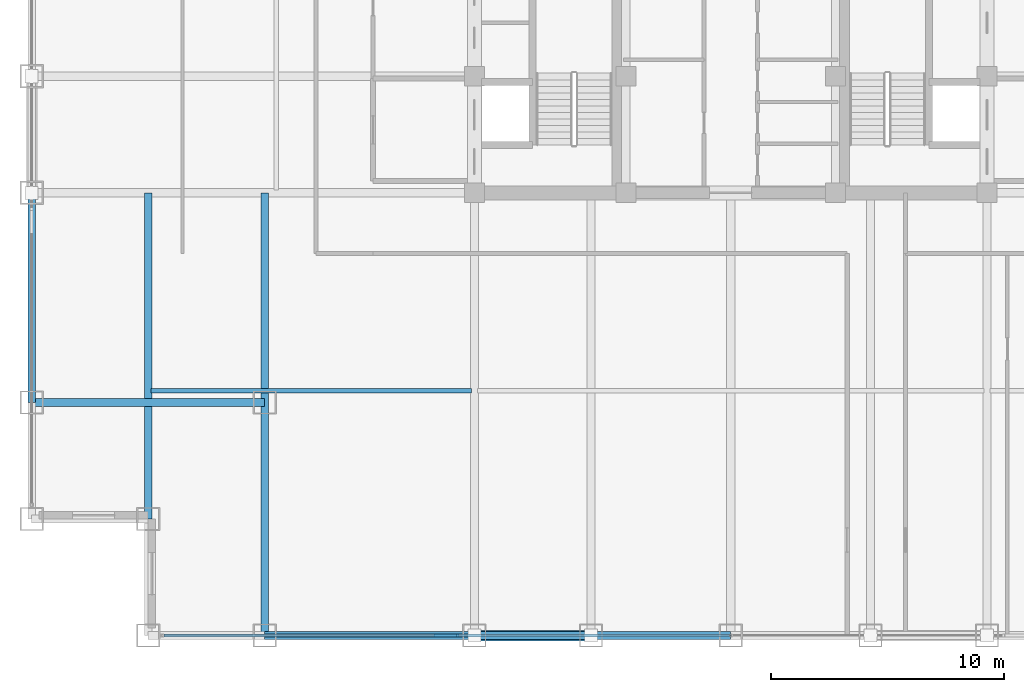
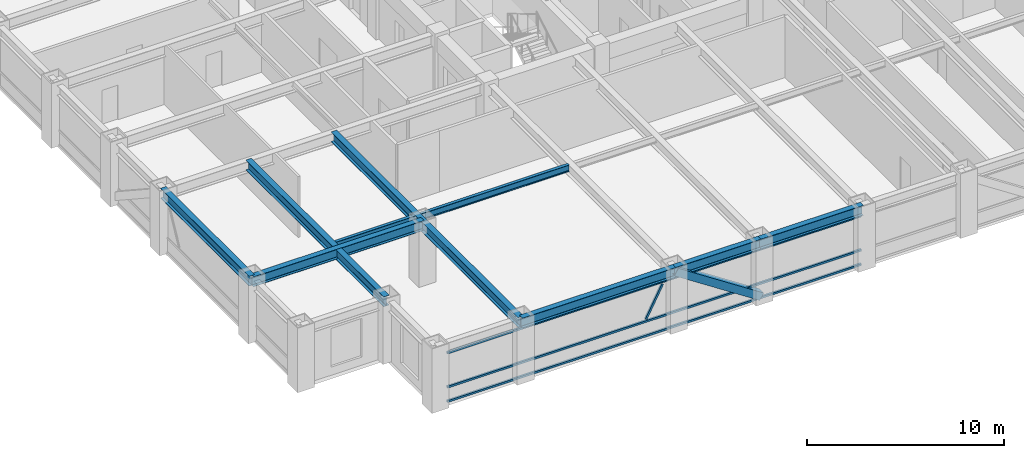
# One storey, part 3 of 25: 8 beams, 5 members, 1 element without a shape of its own.
"""IFC4 building model written with IfcOpenShell, lengths in metres."""

from ifc_helpers import new_model, si_unit, direction, frame, origin, origin_2d, place, context, subcontext, project, spatial, hollow_rectangle, i_section, extrude, source, transform, mapped, material, material_profile, profile_set, type_object, element, aggregate, save


model = new_model("IFC4")

# Units and contexts
model_context = context("Model", 3, precision=1e-05, world=origin(), true_north=direction((0.0, 1.0)))
body_context = subcontext(model_context, "Body", "Model", "MODEL_VIEW")
ifc_project = project(units=[si_unit("LENGTHUNIT", "METRE"), si_unit("AREAUNIT", "SQUARE_METRE"), si_unit("VOLUMEUNIT", "CUBIC_METRE"), si_unit("PLANEANGLEUNIT", "RADIAN"), si_unit("MASSUNIT", "GRAM", prefix="KILO")], contexts=[model_context])

# Site, building, storey
site_placement = place(None, origin())
site = spatial("IfcSite", under=ifc_project, at=site_placement, CompositionType="ELEMENT")
building_placement = place(site_placement, origin())
building = spatial("IfcBuilding", under=site, at=building_placement, Name="Khorayat Bourse Tower", CompositionType="ELEMENT")
storey_placement = place(building_placement, frame((0.0, 0.0, 223.10009765625)))
storey = spatial("IfcBuildingStorey", under=building, at=storey_placement, Name="L52", CompositionType="ELEMENT", Elevation=223.10009765625)

# Beams
ifc_material_1 = material(Name="Steel ASTM A992 Grade 50", Category="steel")
ifc_material_profile_1 = material_profile(ifc_material_1, i_section(OverallWidth=0.324951171875, OverallDepth=0.615966796875, WebThickness=0.013916015625, FlangeThickness=0.021484375, FilletRadius=0.01611328125, at=origin_2d()), Name="W610X174")
ifc_profile_set_1 = profile_set([ifc_material_profile_1], Name="Steel ASTM A992 Grade 50")
beam_type_1 = type_object("IfcBeamType", Name="BM-GIRD-610", PredefinedType="BEAM", material=ifc_profile_set_1)
shared_shape_1 = source(origin(), body_context, "Body", "SweptSolid", [
    extrude(i_section(OverallWidth=0.324951171875, OverallDepth=0.615966796875, WebThickness=0.013916015625, FlangeThickness=0.021484375, FilletRadius=0.01611328125, at=origin_2d()), origin(), (0.0, 0.0, 1.0), 19.0),
])
beam_1_placement = place(storey_placement, frame((-20.0, -30.0, 3.471923828125), z_axis=(0.0, 1.0, 0.0), x_axis=(-1.0, 0.0, 0.0)))
element("IfcBeam", 1, at=beam_1_placement, inside=storey, type_object=beam_type_1, Name="L52 BM-GIRD-610 BM-L52-CNRY-084", PredefinedType="BEAM", context=body_context, shape_type="MappedRepresentation", body=[
    mapped(shared_shape_1, transform((0.0, 0.0, 0.0), scale=1.0)),
])
shared_shape_2 = source(origin(), body_context, "Body", "SweptSolid", [
    extrude(i_section(OverallWidth=0.324951171875, OverallDepth=0.615966796875, WebThickness=0.013916015625, FlangeThickness=0.021484375, FilletRadius=0.01611328125, at=origin_2d()), origin(), (0.0, 0.0, 1.0), 10.0),
])
beam_2_placement = place(storey_placement, frame((-30.0, -20.0, 3.471923828125), z_axis=(1.0, 0.0, 0.0), x_axis=(0.0, 1.0, 0.0)))
element("IfcBeam", 2, at=beam_2_placement, inside=storey, type_object=beam_type_1, Name="L52 BM-GIRD-610 BM-L52-CNRX-093", PredefinedType="BEAM", context=body_context, shape_type="MappedRepresentation", body=[
    mapped(shared_shape_2, transform((0.0, 0.0, 0.0), scale=1.0)),
])
ifc_material_profile_2 = material_profile(ifc_material_1, i_section(OverallWidth=0.324951171875, OverallDepth=0.615966796875, WebThickness=0.013916015625, FlangeThickness=0.021484375, FilletRadius=0.01611328125, at=origin_2d()), Name="W610X174")
ifc_profile_set_2 = profile_set([ifc_material_profile_2], Name="Steel ASTM A992 Grade 50")
beam_type_2 = type_object("IfcBeamType", Name="BM-SPAN-610", PredefinedType="SPANDREL", material=ifc_profile_set_2)
shared_shape_3 = source(origin(), body_context, "Body", "SweptSolid", [
    extrude(i_section(OverallWidth=0.324951171875, OverallDepth=0.615966796875, WebThickness=0.013916015625, FlangeThickness=0.021484375, FilletRadius=0.01611328125, at=origin_2d()), origin(), (0.0, 0.0, 1.0), 9.0),
])
for number, where, z_axis, x_axis, name in (
    (3, (-20.0, -30.0, 3.471923828125), (1.0, 0.0, 0.0), (0.0, 1.0, 0.0), "L52 BM-SPAN-610 BM-L52-SPN-025"),
    (4, (-30.0, -20.0, 3.471923828125), (0.0, 1.0, 0.0), (-1.0, 0.0, 0.0), "L52 BM-SPAN-610 BM-L52-SPN-060"),
):
    element("IfcBeam", number, at=place(storey_placement, frame(where, z_axis=z_axis, x_axis=x_axis)), inside=storey, type_object=beam_type_2, Name=name, PredefinedType="SPANDREL", context=body_context, shape_type="MappedRepresentation", body=[
        mapped(shared_shape_3, transform((0.0, 0.0, 0.0), scale=1.0)),
    ])
shared_shape_4 = source(origin(), body_context, "Body", "SweptSolid", [
    extrude(i_section(OverallWidth=0.324951171875, OverallDepth=0.615966796875, WebThickness=0.013916015625, FlangeThickness=0.021484375, FilletRadius=0.01611328125, at=origin_2d()), origin(), (0.0, 0.0, 1.0), 5.0),
])
beam_3_placement = place(storey_placement, frame((-11.0, -30.0, 3.471923828125), z_axis=(1.0, 0.0, 0.0), x_axis=(0.0, 1.0, 0.0)))
element("IfcBeam", 5, at=beam_3_placement, inside=storey, type_object=beam_type_2, Name="L52 BM-SPAN-610 BM-L52-SPN-026", PredefinedType="SPANDREL", context=body_context, shape_type="MappedRepresentation", body=[
    mapped(shared_shape_4, transform((0.0, 0.0, 0.0), scale=1.0)),
])
shared_shape_5 = source(origin(), body_context, "Body", "SweptSolid", [
    extrude(i_section(OverallWidth=0.324951171875, OverallDepth=0.615966796875, WebThickness=0.013916015625, FlangeThickness=0.021484375, FilletRadius=0.01611328125, at=origin_2d()), origin(), (0.0, 0.0, 1.0), 6.0),
])
beam_4_placement = place(storey_placement, frame((-6.0, -30.0, 3.471923828125), z_axis=(1.0, 0.0, 0.0), x_axis=(0.0, 1.0, 0.0)))
element("IfcBeam", 6, at=beam_4_placement, inside=storey, type_object=beam_type_2, Name="L52 BM-SPAN-610 BM-L52-SPN-027", PredefinedType="SPANDREL", context=body_context, shape_type="MappedRepresentation", body=[
    mapped(shared_shape_5, transform((0.0, 0.0, 0.0), scale=1.0)),
])
shared_shape_6 = source(origin(), body_context, "Body", "SweptSolid", [
    extrude(i_section(OverallWidth=0.324951171875, OverallDepth=0.615966796875, WebThickness=0.013916015625, FlangeThickness=0.021484375, FilletRadius=0.01611328125, at=origin_2d()), origin(), (0.0, 0.0, 1.0), 14.0),
])
beam_5_placement = place(storey_placement, frame((-25.0, -25.0, 3.471923828125), z_axis=(0.0, 1.0, 0.0), x_axis=(-1.0, 0.0, 0.0)))
element("IfcBeam", 7, at=beam_5_placement, inside=storey, type_object=beam_type_1, Name="L52 BM-GIRD-610 BM-L52-CNRY-088", PredefinedType="BEAM", context=body_context, shape_type="MappedRepresentation", body=[
    mapped(shared_shape_6, transform((0.0, 0.0, 0.0), scale=1.0)),
])
ifc_material_profile_3 = material_profile(ifc_material_1, i_section(OverallWidth=0.180908203125, OverallDepth=0.4169921875, WebThickness=0.010986328125, FlangeThickness=0.018310546875, FilletRadius=0.011962890625, at=origin_2d()), Name="W410X85")
ifc_profile_set_3 = profile_set([ifc_material_profile_3], Name="Steel ASTM A992 Grade 50")
beam_type_3 = type_object("IfcBeamType", Name="BM-JOIST-410", PredefinedType="JOIST", material=ifc_profile_set_3)
shared_shape_7 = source(origin(), body_context, "Body", "SweptSolid", [
    extrude(i_section(OverallWidth=0.180908203125, OverallDepth=0.4169921875, WebThickness=0.010986328125, FlangeThickness=0.018310546875, FilletRadius=0.011962890625, at=origin_2d()), origin(), (0.0, 0.0, 1.0), 13.740234375),
])
beam_6_placement = place(storey_placement, frame((-24.8701171875, -19.5, 3.5712890625), z_axis=(1.0, 0.0, 0.0), x_axis=(0.0, 1.0, 0.0)))
element("IfcBeam", 8, at=beam_6_placement, inside=storey, type_object=beam_type_3, Name="L52 BM-JOIST-410 BM-L52-JSTX-096", PredefinedType="JOIST", context=body_context, shape_type="MappedRepresentation", body=[
    mapped(shared_shape_7, transform((0.0, 0.0, 0.0), scale=1.0)),
])

# Member
ifc_material_2 = material(Name="Steel EN 10025-4 S460M", Category="steel")
ifc_material_profile_4 = material_profile(ifc_material_2, hollow_rectangle(XDim=0.449951171875, YDim=0.449951171875, WallThickness=0.02490234375, at=origin_2d()), Name="HSS 450x450x25")
ifc_profile_set_4 = profile_set([ifc_material_profile_4], Name="Steel EN 10025-4 S460M")
member_type_1 = type_object("IfcMemberType", Name="MBR-TUBE-450", PredefinedType="BRACE", material=ifc_profile_set_4)
shared_shape_8 = source(origin(), body_context, "Body", "SweptSolid", [
    extrude(hollow_rectangle(XDim=0.449951171875, YDim=0.449951171875, WallThickness=0.02490234375, at=origin_2d()), origin(), (0.0, 0.0, 1.0), 5.979736328125),
])
member_1_placement = place(storey_placement, frame((-11.0, -30.0, 3.52978515625), z_axis=(0.836160261256, 0.0, -0.548485202623), x_axis=(0.0, 1.0, 0.0)))
element("IfcMember", 9, at=member_1_placement, inside=storey, type_object=member_type_1, Name="L52 Perimeter Tube Brace 01", PredefinedType="BRACE", context=body_context, shape_type="MappedRepresentation", body=[
    mapped(shared_shape_8, transform((0.0, 0.0, 0.0), scale=1.0)),
])

# Curtain wall, members
ifc_material_3 = material(Name="Aluminium EN AW-6063 T6", Category="aluminium")
curtain_wall_type = type_object("IfcCurtainWallType", Name="CW-SYS-03", PredefinedType="NOTDEFINED", material=ifc_material_3)
curtain_wall_placement = place(storey_placement, origin())
curtain_wall = element("IfcCurtainWall", 10, at=curtain_wall_placement, inside=storey, type_object=curtain_wall_type, Name="L52 Curtain Wall CW-L52-S1", PredefinedType="NOTDEFINED")
ifc_material_profile_5 = material_profile(ifc_material_3, hollow_rectangle(XDim=0.1201171875, YDim=0.1201171875, WallThickness=0.0048828125, at=origin_2d()), Name="ALU 120x120x5")
ifc_profile_set_5 = profile_set([ifc_material_profile_5], Name="Aluminium EN AW-6063 T6")
member_type_2 = type_object("IfcMemberType", Name="CWM-DIAG-120", PredefinedType="MULLION", material=ifc_profile_set_5)
shared_shape_9 = source(origin(), body_context, "Body", "SweptSolid", [
    extrude(hollow_rectangle(XDim=0.1201171875, YDim=0.1201171875, WallThickness=0.0048828125, at=origin_2d()), origin(), (0.0, 0.0, 1.0), 2.079345703125),
])
member_2_placement = place(storey_placement, frame((-12.67919921875, -30.0, 1.08984375), z_axis=(0.465760949701, 0.0, 0.884910581773), x_axis=(0.0, 1.0, 0.0)))
member_2 = element("IfcMember", 11, at=member_2_placement, type_object=member_type_2, Name="CW-L52-S1 Faceted Diagonal Mullion 1", PredefinedType="MULLION", context=body_context, shape_type="MappedRepresentation", body=[
    mapped(shared_shape_9, transform((0.0, 0.0, 0.0), scale=1.0)),
])
ifc_material_profile_6 = material_profile(ifc_material_3, hollow_rectangle(XDim=0.1201171875, YDim=0.1201171875, WallThickness=0.0048828125, at=origin_2d()), Name="ALU 120x120x5")
ifc_profile_set_6 = profile_set([ifc_material_profile_6], Name="Aluminium EN AW-6063 T6")
member_type_3 = type_object("IfcMemberType", Name="CWT-HORZ-120", PredefinedType="USERDEFINED", material=ifc_profile_set_6)
shared_shape_10 = source(origin(), body_context, "Body", "SweptSolid", [
    extrude(hollow_rectangle(XDim=0.1201171875, YDim=0.1201171875, WallThickness=0.0048828125, at=origin_2d()), origin(), (0.0, 0.0, 1.0), 24.27001953125),
])
member_3_placement = place(storey_placement, frame((-24.330078125, -30.0, 0.059814453125), z_axis=(1.0, 0.0, 0.0), x_axis=(0.0, 1.0, 0.0)))
member_3 = element("IfcMember", 12, at=member_3_placement, type_object=member_type_3, Name="CW-L52-S1 Horizontal Transom 1-1", ObjectType="TRANSOM", PredefinedType="USERDEFINED", context=body_context, shape_type="MappedRepresentation", body=[
    mapped(shared_shape_10, transform((0.0, 0.0, 0.0), scale=1.0)),
])
member_4_placement = place(storey_placement, frame((-24.330078125, -30.0, 0.949951171875), z_axis=(1.0, 0.0, 0.0), x_axis=(0.0, 1.0, 0.0)))
member_4 = element("IfcMember", 13, at=member_4_placement, type_object=member_type_3, Name="CW-L52-S1 Horizontal Transom 1-2", ObjectType="TRANSOM", PredefinedType="USERDEFINED", context=body_context, shape_type="MappedRepresentation", body=[
    mapped(shared_shape_10, transform((0.0, 0.0, 0.0), scale=1.0)),
])
member_5_placement = place(storey_placement, frame((-24.330078125, -30.0, 3.06982421875), z_axis=(1.0, 0.0, 0.0), x_axis=(0.0, 1.0, 0.0)))
member_5 = element("IfcMember", 14, at=member_5_placement, type_object=member_type_3, Name="CW-L52-S1 Horizontal Transom 1-3", ObjectType="TRANSOM", PredefinedType="USERDEFINED", context=body_context, shape_type="MappedRepresentation", body=[
    mapped(shared_shape_10, transform((0.0, 0.0, 0.0), scale=1.0)),
])
aggregate(curtain_wall, [member_3, member_4, member_5, member_2])

save(model, "model.ifc")
